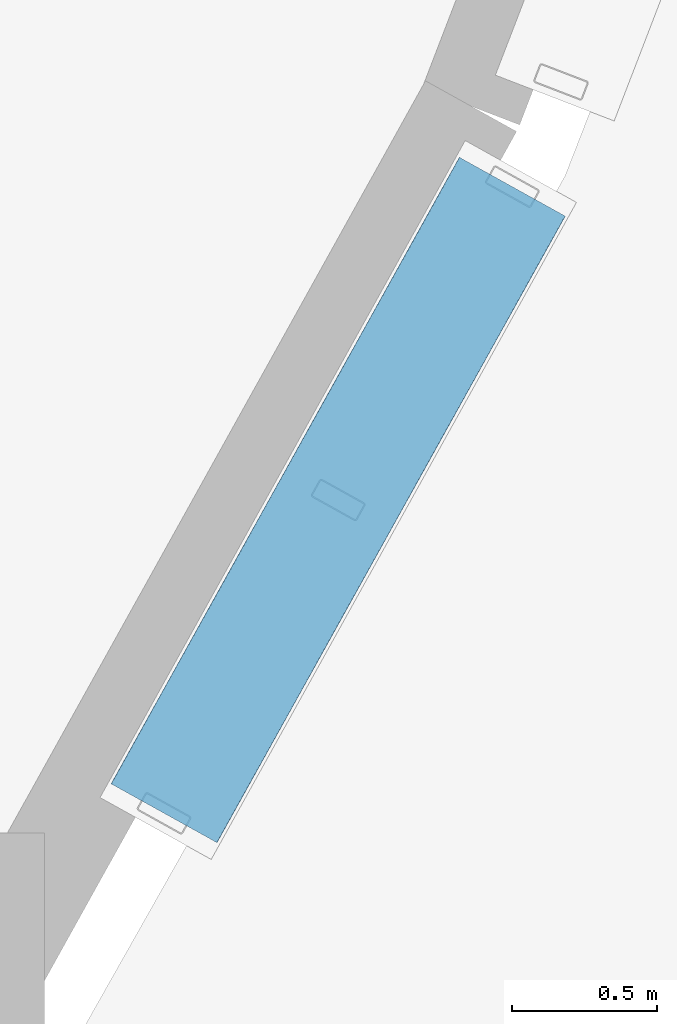
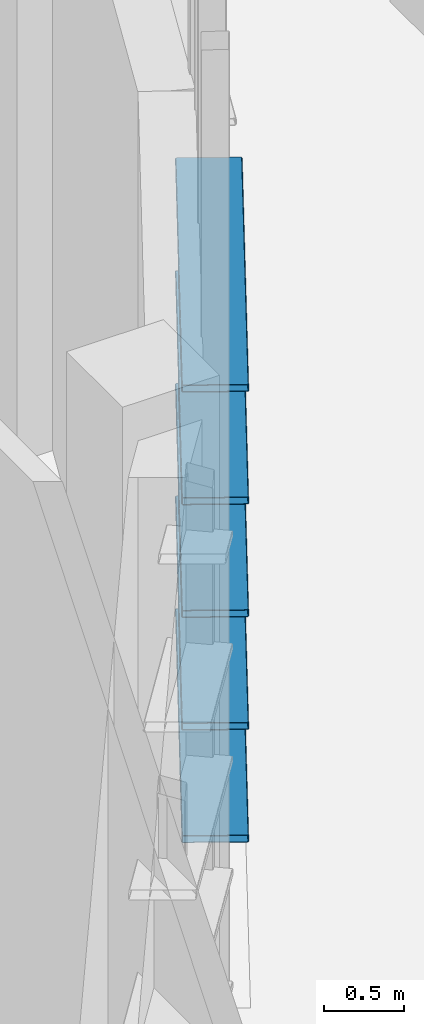
# One storey, part 206 of 372: 5 members.
"""IFC4 building model written with IfcOpenShell, lengths in metres."""

from ifc_helpers import new_model, si_unit, direction, frame, origin, origin_2d, place, context, subcontext, project, spatial, hollow_rectangle, extrude, material, material_profile, profile_set, type_object, element, save


model = new_model("IFC4")

# Units and contexts
model_context = context("Model", 3, precision=1e-05, world=origin(), true_north=direction((0.0, 1.0)))
body_context = subcontext(model_context, "Body", "Model", "MODEL_VIEW")
ifc_project = project(units=[si_unit("LENGTHUNIT", "METRE"), si_unit("AREAUNIT", "SQUARE_METRE"), si_unit("VOLUMEUNIT", "CUBIC_METRE"), si_unit("PLANEANGLEUNIT", "RADIAN"), si_unit("MASSUNIT", "GRAM", prefix="KILO")], contexts=[model_context])

# Site, building, storey
site_placement = place(None, origin())
site = spatial("IfcSite", under=ifc_project, at=site_placement, CompositionType="ELEMENT")
building_placement = place(site_placement, origin())
building = spatial("IfcBuilding", under=site, at=building_placement, Name="Kaelora Sail Theatre", CompositionType="ELEMENT")
storey_placement = place(building_placement, origin())
storey = spatial("IfcBuildingStorey", under=building, at=storey_placement, Name="L00", CompositionType="ELEMENT", Elevation=0.0)

# Members
ifc_material = material(Name="Anodised aluminium 6063-T6", Category="aluminium")
ifc_material_profile = material_profile(ifc_material, hollow_rectangle(XDim=0.419921875, YDim=0.054931640625, WallThickness=0.00390625, InnerFilletRadius=0.00390625, OuterFilletRadius=0.008056640625, at=origin_2d()), Name="LOUVRE 420x55x4")
ifc_profile_set = profile_set([ifc_material_profile], Name="Anodised aluminium 6063-T6")
member_type = type_object("IfcMemberType", Name="ARC-MEM-LVR-420", PredefinedType="USERDEFINED", material=ifc_profile_set)
for number, where, z_axis, x_axis, name in (
    (1, (101.301025390625, 39.698486328125, 1.25), (-0.485852103854, -0.874041036325, 0.0), (0.874041036325, -0.485852103854, 0.0), "Studio Theatre Sail Drum horizontal solar louvre C6-01"),
    (2, (101.301025390625, 39.698486328125, 2.110107421875), (-0.485852103854, -0.874041036325, 0.0), (0.874041036325, -0.485852103854, 0.0), "Studio Theatre Sail Drum horizontal solar louvre C6-02"),
    (3, (101.301025390625, 39.698486328125, 2.969970703125), (-0.485852103854, -0.874041036325, 0.0), (0.874041036325, -0.485852103854, 0.0), "Studio Theatre Sail Drum horizontal solar louvre C6-03"),
    (4, (101.301025390625, 39.698486328125, 3.830078125), (-0.485852103854, -0.874041036325, 0.0), (0.874041036325, -0.485852103854, 0.0), "Studio Theatre Sail Drum horizontal solar louvre C6-04"),
    (5, (101.301025390625, 39.698486328125, 4.68994140625), (-0.485852103854, -0.874041036325, 0.0), (0.874041036325, -0.485852103854, 0.0), "Studio Theatre Sail Drum horizontal solar louvre C6-05"),
):
    element("IfcMember", number, at=place(storey_placement, frame(where, z_axis=z_axis, x_axis=x_axis)), inside=storey, type_object=member_type, Name=name, ObjectType="LOUVRE", PredefinedType="USERDEFINED", context=body_context, shape_type="SweptSolid", body=[
        extrude(hollow_rectangle(XDim=0.419921875, YDim=0.054931640625, WallThickness=0.00390625, InnerFilletRadius=0.00390625, OuterFilletRadius=0.008056640625, at=origin_2d()), origin(), (0.0, 0.0, 1.0), 2.477294921875),
    ])

save(model, "model.ifc")
